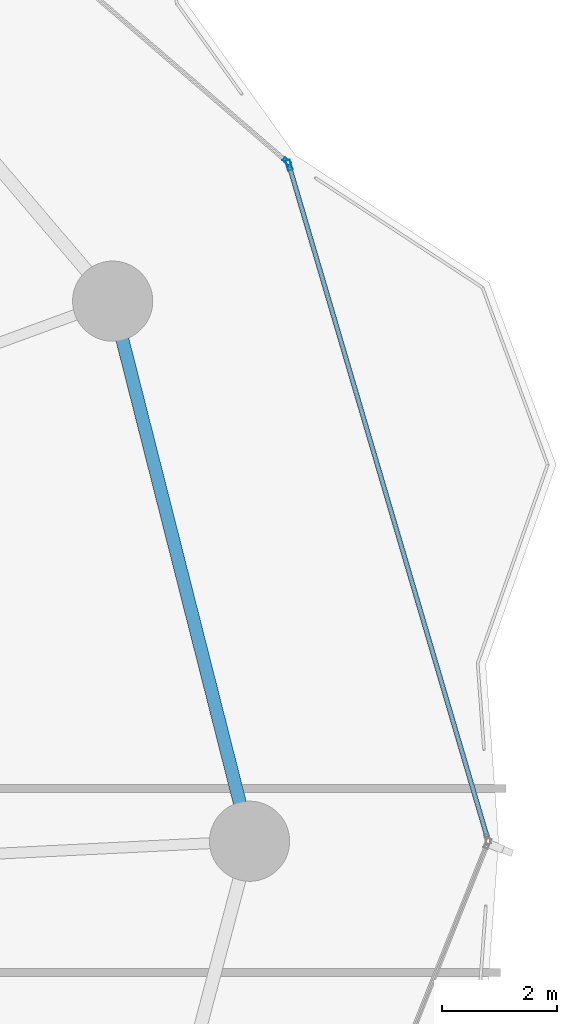
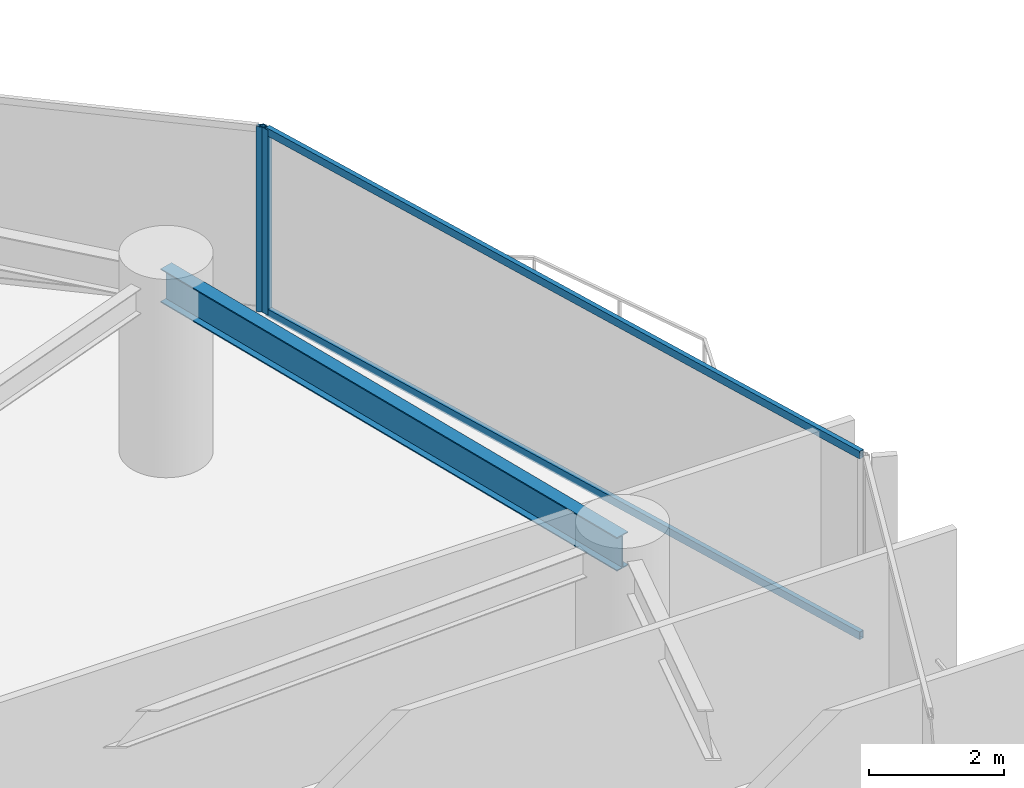
# One storey, part 24 of 34: 4 members, 1 beam, 2 elements without a shape of their own.
"""IFC4 building model written with IfcOpenShell, lengths in metres."""

from ifc_helpers import new_model, si_unit, direction, frame, origin, origin_2d, place, context, subcontext, project, spatial, hollow_rectangle, i_section, extrude, material, layer, layer_set, material_profile, profile_set, type_object, element, aggregate, save


model = new_model("IFC4")

# Units and contexts
model_context = context("Model", 3, precision=1e-05, world=origin(), true_north=direction((0.0, 1.0)))
body_context = subcontext(model_context, "Body", "Model", "MODEL_VIEW")
ifc_project = project(units=[si_unit("LENGTHUNIT", "METRE"), si_unit("AREAUNIT", "SQUARE_METRE"), si_unit("VOLUMEUNIT", "CUBIC_METRE"), si_unit("PLANEANGLEUNIT", "RADIAN"), si_unit("MASSUNIT", "GRAM", prefix="KILO")], contexts=[model_context])

# Site, building, storey
site_placement = place(None, origin())
site = spatial("IfcSite", under=ifc_project, at=site_placement, CompositionType="ELEMENT")
building_placement = place(site_placement, origin())
building = spatial("IfcBuilding", under=site, at=building_placement, Name="Kazevale Care Tower and Concert Hall", CompositionType="ELEMENT")
storey_placement = place(building_placement, frame((0.0, 0.0, 67.199951171875)))
storey = spatial("IfcBuildingStorey", under=building, at=storey_placement, Name="L17", CompositionType="ELEMENT", Elevation=67.199951171875)

# Curtain wall, member
ifc_material_1 = material(Name="Aluminium 6063-T6 and Low-E Glass", Category="aluminium")
ifc_layer_1 = layer(ifc_material_1, 0.179931640625)
ifc_layer_set_1 = layer_set([ifc_layer_1], Name="Aluminium 6063-T6 and Low-E Glass")
curtain_wall_type_1 = type_object("IfcCurtainWallType", Name="Convex Recessed Sunroom Curtain Wall CW-3", PredefinedType="NOTDEFINED", material=ifc_layer_set_1)
curtain_wall_1_placement = place(storey_placement, origin())
curtain_wall_1 = element("IfcCurtainWall", 1, at=curtain_wall_1_placement, inside=storey, type_object=curtain_wall_type_1, Name="cw:L17:f17", PredefinedType="NOTDEFINED")
ifc_material_2 = material(Name="Aluminium 6063-T6", Category="aluminium")
ifc_material_profile_1 = material_profile(ifc_material_2, hollow_rectangle(XDim=0.074951171875, YDim=0.14990234375, WallThickness=0.00390625, at=origin_2d()), Name="ALU75x150x4")
ifc_profile_set_1 = profile_set([ifc_material_profile_1], Name="Aluminium 6063-T6")
member_type_1 = type_object("IfcMemberType", Name="CW-3 Mullion ALU75x150x4", PredefinedType="MULLION", material=ifc_profile_set_1)
member_1_placement = place(storey_placement, frame((77.099609375, 49.867431640625, 0.0), z_axis=(0.0, 0.0, 1.0), x_axis=(0.653183596561, 0.757199570248, 0.0)))
member_1 = element("IfcMember", 2, at=member_1_placement, type_object=member_type_1, Name="CW-3 mullion 2", PredefinedType="MULLION", context=body_context, shape_type="SweptSolid", body=[
    extrude(hollow_rectangle(XDim=0.074951171875, YDim=0.14990234375, WallThickness=0.00390625, at=origin_2d()), origin(), (0.0, 0.0, 1.0), 3.360107421875),
])
aggregate(curtain_wall_1, [member_1])

# Curtain wall, members
ifc_layer_2 = layer(ifc_material_1, 0.179931640625)
ifc_layer_set_2 = layer_set([ifc_layer_2], Name="Aluminium 6063-T6 and Low-E Glass")
curtain_wall_type_2 = type_object("IfcCurtainWallType", Name="Waist & Upper Residential Curtain Wall CW-4", PredefinedType="NOTDEFINED", material=ifc_layer_set_2)
curtain_wall_2_placement = place(storey_placement, origin())
curtain_wall_2 = element("IfcCurtainWall", 3, at=curtain_wall_2_placement, inside=storey, type_object=curtain_wall_type_2, Name="cw:L17:f18", PredefinedType="NOTDEFINED")
ifc_material_profile_2 = material_profile(ifc_material_2, hollow_rectangle(XDim=0.080078125, YDim=0.179931640625, WallThickness=0.0048828125, at=origin_2d()), Name="ALU80x180x5")
ifc_profile_set_2 = profile_set([ifc_material_profile_2], Name="Aluminium 6063-T6")
member_type_2 = type_object("IfcMemberType", Name="CW-4 Mullion ALU80x180x5", PredefinedType="MULLION", material=ifc_profile_set_2)
member_2_placement = place(storey_placement, frame((77.139404296875, 49.8046875, 0.0), z_axis=(0.0, 0.0, 1.0), x_axis=(0.959173119586, 0.282819600918, 0.0)))
member_2 = element("IfcMember", 4, at=member_2_placement, type_object=member_type_2, Name="CW-4 mullion 1", PredefinedType="MULLION", context=body_context, shape_type="SweptSolid", body=[
    extrude(hollow_rectangle(XDim=0.080078125, YDim=0.179931640625, WallThickness=0.0048828125, at=origin_2d()), origin(), (0.0, 0.0, 1.0), 3.360107421875),
])
ifc_material_profile_3 = material_profile(ifc_material_2, hollow_rectangle(XDim=0.080078125, YDim=0.139892578125, WallThickness=0.00390625, at=origin_2d()), Name="ALU80x140x4")
ifc_profile_set_3 = profile_set([ifc_material_profile_3], Name="Aluminium 6063-T6")
member_type_3 = type_object("IfcMemberType", Name="CW-4 Transom ALU80x140x4", PredefinedType="USERDEFINED", material=ifc_profile_set_3)
member_3_placement = place(storey_placement, frame((77.150634765625, 49.766357421875, 0.0400390625), z_axis=(0.282818078945, -0.95917356835, 0.0), x_axis=(0.95917356835, 0.282818078945, 0.0)))
member_3 = element("IfcMember", 5, at=member_3_placement, type_object=member_type_3, Name="CW-4 transom 1.1", ObjectType="TRANSOM", PredefinedType="USERDEFINED", context=body_context, shape_type="SweptSolid", body=[
    extrude(hollow_rectangle(XDim=0.080078125, YDim=0.139892578125, WallThickness=0.00390625, at=origin_2d()), origin(), (0.0, 0.0, 1.0), 12.187255859375),
])
member_4_placement = place(storey_placement, frame((77.150634765625, 49.766357421875, 3.320068359375), z_axis=(0.282818078945, -0.95917356835, 0.0), x_axis=(0.95917356835, 0.282818078945, 0.0)))
member_4 = element("IfcMember", 6, at=member_4_placement, type_object=member_type_3, Name="CW-4 transom 1.2", ObjectType="TRANSOM", PredefinedType="USERDEFINED", context=body_context, shape_type="SweptSolid", body=[
    extrude(hollow_rectangle(XDim=0.080078125, YDim=0.139892578125, WallThickness=0.00390625, at=origin_2d()), origin(), (0.0, 0.0, 1.0), 12.187255859375),
])
aggregate(curtain_wall_2, [member_2, member_3, member_4])

# Beam
ifc_material_3 = material(Name="Steel ASTM A572 Gr 50", Category="steel")
ifc_material_profile_4 = material_profile(ifc_material_3, i_section(OverallWidth=0.22900390625, OverallDepth=0.612060546875, WebThickness=0.011962890625, FlangeThickness=0.01953125, at=origin_2d()), Name="W610x125")
ifc_profile_set_4 = profile_set([ifc_material_profile_4], Name="Steel ASTM A572 Gr 50")
beam_type = type_object("IfcBeamType", Name="Ring Spandrel Beam W610x125", PredefinedType="SPANDREL", material=ifc_profile_set_4)
beam_placement = place(storey_placement, frame((76.449951171875, 38.0, 3.053955078125), z_axis=(-0.245669948409, 0.969353535326, 0.0), x_axis=(-0.969353535326, -0.245669948409, 0.0)))
element("IfcBeam", 7, at=beam_placement, inside=storey, type_object=beam_type, Name="beam:L17:ring:01", PredefinedType="SPANDREL", context=body_context, shape_type="SweptSolid", body=[
    extrude(i_section(OverallWidth=0.22900390625, OverallDepth=0.612060546875, WebThickness=0.011962890625, FlangeThickness=0.01953125, at=origin_2d()), origin(), (0.0, 0.0, 1.0), 9.72802734375),
])

save(model, "model.ifc")
